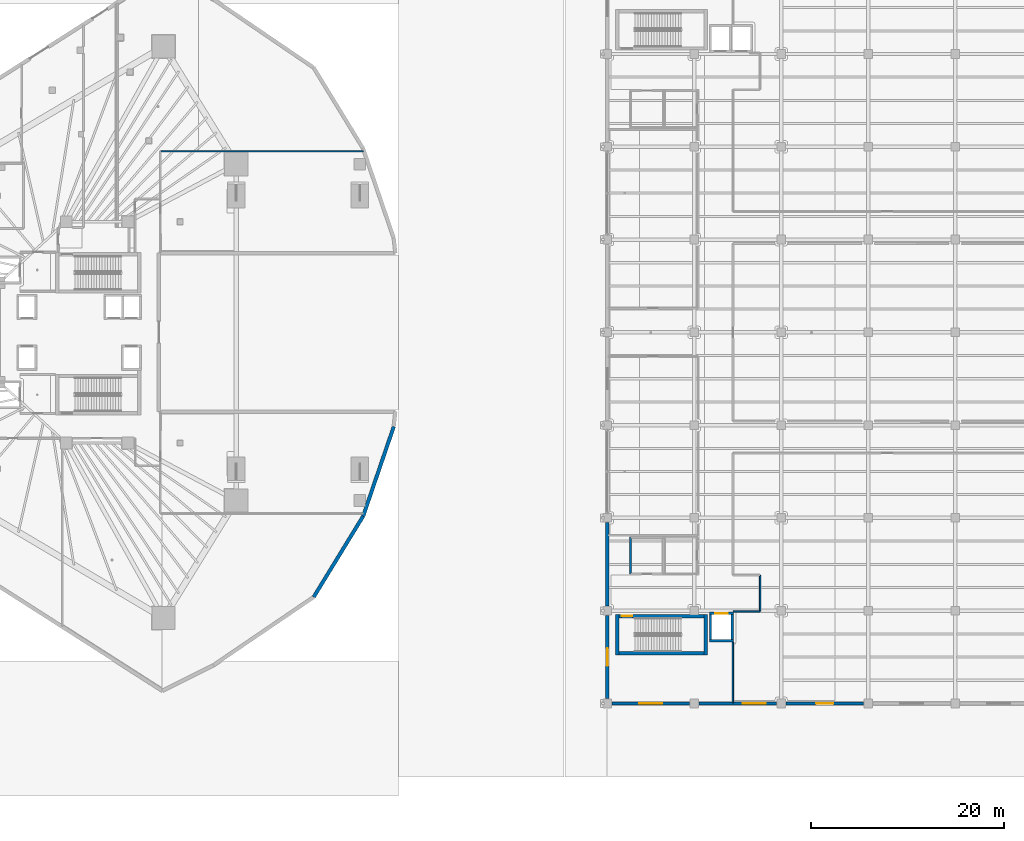
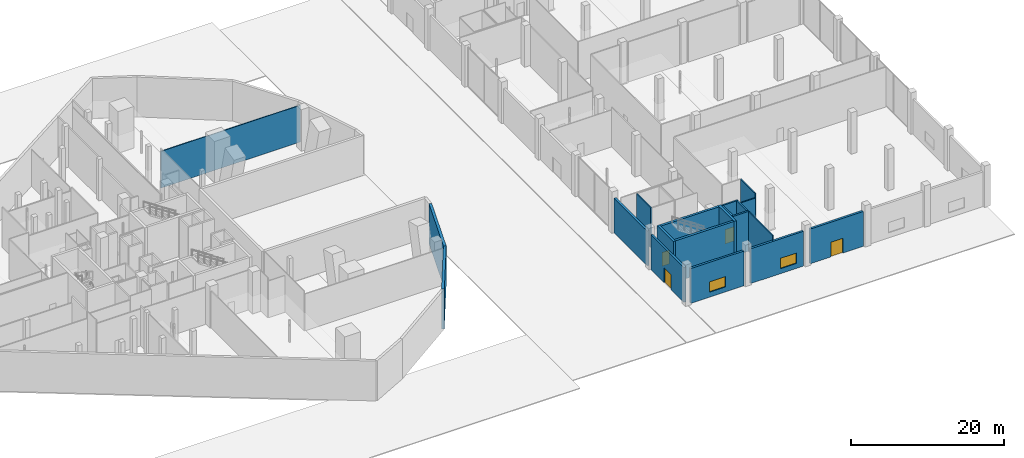
# One storey, part 29 of 45: 20 walls, 4 doors, 2 windows, 6 openings.
"""IFC4 building model written with IfcOpenShell, lengths in metres."""

from ifc_helpers import new_model, si_unit, direction, frame, frame_2d, origin, place, context, subcontext, project, spatial, rectangle, extrude, material, layer, layer_set, type_object, element, fill, save


model = new_model("IFC4")

# Units and contexts
model_context = context("Model", 3, precision=1e-05, world=origin(), true_north=direction((0.0, 1.0)))
body_context = subcontext(model_context, "Body", "Model", "MODEL_VIEW")
ifc_project = project(units=[si_unit("LENGTHUNIT", "METRE"), si_unit("AREAUNIT", "SQUARE_METRE"), si_unit("VOLUMEUNIT", "CUBIC_METRE"), si_unit("PLANEANGLEUNIT", "RADIAN"), si_unit("MASSUNIT", "GRAM", prefix="KILO")], contexts=[model_context])

# Site, building, storey
site_placement = place(None, origin())
site = spatial("IfcSite", under=ifc_project, at=site_placement, CompositionType="ELEMENT")
building_placement = place(site_placement, origin())
building = spatial("IfcBuilding", under=site, at=building_placement, Name="Qorvath Tower", CompositionType="ELEMENT")
storey_placement = place(building_placement, origin())
storey = spatial("IfcBuildingStorey", under=building, at=storey_placement, Name="L00", CompositionType="ELEMENT", Elevation=0.0)

# Walls
ifc_material_1 = material(Name="Gypsum shaftliner on steel studs", Category="steel")
ifc_layer_1 = layer(ifc_material_1, 0.179931640625)
ifc_layer_set_1 = layer_set([ifc_layer_1], Name="FW-LOBBY")
wall_type_1 = type_object("IfcWallType", Name="FW-LOBBY", PredefinedType="PARTITIONING", material=ifc_layer_set_1)
wall_1_placement = place(storey_placement, frame((34.800048828125, -21.22509765625, 0.0), z_axis=(0.0, 0.0, 1.0), x_axis=(0.0, -1.0, 0.0)))
element("IfcWall", 1, at=wall_1_placement, inside=storey, type_object=wall_type_1, Name="Interior Partition IW-LB-L00-016", PredefinedType="PARTITIONING", context=body_context, shape_type="SweptSolid", body=[
    extrude(rectangle(XDim=3.75, YDim=0.179931640625, at=frame_2d((1.875, 0.0))), origin(), (0.0, 0.0, 1.0), 6.340087890625),
])
ifc_material_2 = material(Name="Double acoustic gypsum board on steel studs", Category="steel")
ifc_layer_2 = layer(ifc_material_2, 0.159912109375)
ifc_layer_set_2 = layer_set([ifc_layer_2], Name="IW-ACOUSTIC-160")
wall_type_2 = type_object("IfcWallType", Name="IW-ACOUSTIC-160", PredefinedType="PARTITIONING", material=ifc_layer_set_2)
wall_2_placement = place(storey_placement, frame((48.2080078125, -25.13720703125, 0.0), z_axis=(0.0, 0.0, 1.0), x_axis=(0.0, -1.0, 0.0)))
element("IfcWall", 2, at=wall_2_placement, inside=storey, type_object=wall_type_2, Name="Interior Partition IW-LB-L00-031", PredefinedType="PARTITIONING", context=body_context, shape_type="SweptSolid", body=[
    extrude(rectangle(XDim=3.745849609375, YDim=0.159912109375, at=frame_2d((1.873046875, 0.0))), origin(), (0.0, 0.0, 1.0), 6.340087890625),
])
wall_3_placement = place(storey_placement, frame((45.4248046875, -28.907958984375, 0.0), z_axis=(0.0, 0.0, 1.0), x_axis=(1.0, 0.0, 0.0)))
element("IfcWall", 3, at=wall_3_placement, inside=storey, type_object=wall_type_2, Name="Interior Partition IW-LB-L00-032", PredefinedType="PARTITIONING", context=body_context, shape_type="SweptSolid", body=[
    extrude(rectangle(XDim=2.75830078125, YDim=0.159912109375, at=frame_2d((1.379150390625, 0.0))), origin(), (0.0, 0.0, 1.0), 5.6142578125),
])
wall_4_placement = place(storey_placement, frame((45.39990234375, -32.0849609375, 0.0), z_axis=(0.0, 0.0, 1.0), x_axis=(0.0, -1.0, 0.0)))
element("IfcWall", 4, at=wall_4_placement, inside=storey, type_object=wall_type_2, Name="Interior Partition IW-LB-L00-033", PredefinedType="PARTITIONING", context=body_context, shape_type="SweptSolid", body=[
    extrude(rectangle(XDim=6.235107421875, YDim=0.159912109375, at=frame_2d((3.11767578125, 0.0))), origin(), (0.0, 0.0, 1.0), 6.340087890625),
])
ifc_material_3 = material(Name="Gypsum board on metal studs with mineral wool", Category="gypsum")
ifc_layer_3 = layer(ifc_material_3, 0.125)
ifc_layer_set_3 = layer_set([ifc_layer_3], Name="IW-PART-125")
wall_type_3 = type_object("IfcWallType", Name="IW-PART-125", PredefinedType="PARTITIONING", material=ifc_layer_set_3)
wall_5_placement = place(storey_placement, frame((7.15478515625, 18.75, 0.0), z_axis=(0.0, 0.0, 1.0), x_axis=(-1.0, 0.0, 0.0)))
element("IfcWall", 5, at=wall_5_placement, inside=storey, type_object=wall_type_3, Name="Interior Partition IW-T1-L00-037", PredefinedType="PARTITIONING", context=body_context, shape_type="SweptSolid", body=[
    extrude(rectangle(XDim=20.97998046875, YDim=0.125, at=frame_2d((10.489990234375, 0.0))), origin(), (0.0, 0.0, 1.0), 5.85302734375),
])
ifc_material_4 = material(Name="Concrete C60/75", Category="concrete")
ifc_layer_4 = layer(ifc_material_4, 0.260009765625)
ifc_layer_set_4 = layer_set([ifc_layer_4], Name="SW-SHAFT")
wall_type_4 = type_object("IfcWallType", Name="SW-SHAFT", PredefinedType="SHEAR", material=ifc_layer_set_4)
wall_6_placement = place(storey_placement, frame((45.43994140625, -31.919921875, 0.0), z_axis=(0.0, 0.0, 1.0), x_axis=(-1.0, 0.0, 0.0)))
element("IfcWall", 6, at=wall_6_placement, inside=storey, type_object=wall_type_4, Name="Hoistway Wall LGL-1 L00 S", PredefinedType="SHEAR", context=body_context, shape_type="SweptSolid", body=[
    extrude(rectangle(XDim=2.47998046875, YDim=0.239990234375, at=frame_2d((1.239990234375, 0.0))), origin(), (0.0, 0.0, 1.0), 6.340087890625),
])

# Wall, opening, door
wall_7_placement = place(storey_placement, frame((42.9599609375, -29.080078125, 0.0), z_axis=(0.0, 0.0, 1.0), x_axis=(1.0, 0.0, 0.0)))
wall_7 = element("IfcWall", 7, at=wall_7_placement, inside=storey, type_object=wall_type_4, Name="Hoistway Wall LGL-1 L00 N", PredefinedType="SHEAR", context=body_context, shape_type="SweptSolid", body=[
    extrude(rectangle(XDim=2.47998046875, YDim=0.239990234375, at=frame_2d((1.239990234375, 0.0))), origin(), (0.0, 0.0, 1.0), 6.340087890625),
])
opening_1_placement = place(wall_7_placement, frame((0.590087890625, 0.0, 0.0)))
opening_1 = element("IfcOpeningElement", 8, at=opening_1_placement, cuts=wall_7, Name="Opening LD-LGL-1-L00", PredefinedType="OPENING", context=body_context, shape_type="SweptSolid", body=[
    extrude(rectangle(XDim=1.300048828125, YDim=2.300048828125, at=frame_2d((0.64990234375, 1.14990234375))), frame((0.0, 0.1298828125, 0.0), z_axis=(0.0, -1.0, 0.0), x_axis=(1.0, 0.0, 0.0)), (0.0, 0.0, 1.0), 0.260009765625),
])
ifc_material_5 = material(Name="Brushed stainless steel AISI 316", Category="steel")
door_type_1 = type_object("IfcDoorType", Name="LD-02", OperationType="NOTDEFINED", PredefinedType="DOOR", material=ifc_material_5)
door_1_placement = place(opening_1_placement, origin())
door_1 = element("IfcDoor", 9, at=door_1_placement, inside=storey, type_object=door_type_1, Name="Elevator Landing Sliding Door LD-LGL-1-L00", OperationType="DOUBLE_DOOR_SLIDING", OverallHeight=2.300048828125, OverallWidth=1.300048828125, PredefinedType="DOOR", context=body_context, shape_type="SweptSolid", body=[
    extrude(rectangle(XDim=1.300048828125, YDim=2.300048828125, at=frame_2d((0.64990234375, 1.14990234375))), frame((0.0, 0.02490234375, 0.0), z_axis=(0.0, -1.0, 0.0), x_axis=(1.0, 0.0, 0.0)), (0.0, 0.0, 1.0), 0.050048828125),
])
fill(opening_1, door_1)

# Walls
for number, where, z_axis, x_axis, name in (
    (10, (43.080078125, -31.7880859375, 0.0), (0.0, 0.0, 1.0), (0.0, 1.0, 0.0), "Hoistway Wall LGL-1 L00 W"),
    (11, (45.320068359375, -29.2119140625, 0.0), (0.0, 0.0, 1.0), (0.0, -1.0, 0.0), "Hoistway Wall LGL-1 L00 E"),
):
    element("IfcWall", number, at=place(storey_placement, frame(where, z_axis=z_axis, x_axis=x_axis)), inside=storey, type_object=wall_type_4, Name=name, PredefinedType="SHEAR", context=body_context, shape_type="SweptSolid", body=[
        extrude(rectangle(XDim=2.576171875, YDim=0.239990234375, at=frame_2d((1.2880859375, 0.0))), origin(), (0.0, 0.0, 1.0), 6.340087890625),
    ])
ifc_material_6 = material(Name="Concrete C60/75", Category="concrete")
ifc_layer_5 = layer(ifc_material_6, 0.35009765625)
ifc_layer_set_5 = layer_set([ifc_layer_5], Name="SW-STAIR")
wall_type_5 = type_object("IfcWallType", Name="SW-STAIR", PredefinedType="SHEAR", material=ifc_layer_set_5)
for number, where, z_axis, x_axis, name in (
    (12, (33.425048828125, -29.18994140625, 0.0), (0.0, 0.0, 1.0), (0.0, -1.0, 0.0), "Stair LS2 Shear Wall L00 NEAR"),
    (13, (42.574951171875, -33.39990234375, 0.0), (0.0, 0.0, 1.0), (0.0, 1.0, 0.0), "Stair LS2 Shear Wall L00 FAR"),
):
    element("IfcWall", number, at=place(storey_placement, frame(where, z_axis=z_axis, x_axis=x_axis)), inside=storey, type_object=wall_type_5, Name=name, PredefinedType="SHEAR", context=body_context, shape_type="SweptSolid", body=[
        extrude(rectangle(XDim=4.2099609375, YDim=0.35009765625, at=frame_2d((2.10498046875, 0.0))), origin(), (0.0, 0.0, 1.0), 6.594970703125),
    ])
wall_8_placement = place(storey_placement, frame((33.614990234375, -33.22509765625, 0.0), z_axis=(0.0, 0.0, 1.0), x_axis=(1.0, 0.0, 0.0)))
element("IfcWall", 14, at=wall_8_placement, inside=storey, type_object=wall_type_5, Name="Stair LS2 Shear Wall L00 LEFT", PredefinedType="SHEAR", context=body_context, shape_type="SweptSolid", body=[
    extrude(rectangle(XDim=8.77001953125, YDim=0.35009765625, at=frame_2d((4.385009765625, 0.0))), origin(), (0.0, 0.0, 1.0), 6.594970703125),
])

# Wall, opening, door
wall_9_placement = place(storey_placement, frame((33.614990234375, -29.364990234375, 0.0), z_axis=(0.0, 0.0, 1.0), x_axis=(1.0, 0.0, 0.0)))
wall_9 = element("IfcWall", 15, at=wall_9_placement, inside=storey, type_object=wall_type_5, Name="Stair LS2 Shear Wall L00 RIGHT", PredefinedType="SHEAR", context=body_context, shape_type="SweptSolid", body=[
    extrude(rectangle(XDim=8.77001953125, YDim=0.35009765625, at=frame_2d((4.385009765625, 0.0))), origin(), (0.0, 0.0, 1.0), 6.594970703125),
])
opening_2_placement = place(wall_9_placement, frame((0.280029296875, 0.0, 0.0)))
opening_2 = element("IfcOpeningElement", 16, at=opening_2_placement, cuts=wall_9, Name="Opening D-LS2-L00", PredefinedType="OPENING", context=body_context, shape_type="SweptSolid", body=[
    extrude(rectangle(XDim=1.10009765625, YDim=2.199951171875, at=frame_2d((0.550048828125, 1.10009765625))), frame((0.0, 0.18505859375, 0.0), z_axis=(0.0, -1.0, 0.0), x_axis=(1.0, 0.0, 0.0)), (0.0, 0.0, 1.0), 0.3701171875),
])
ifc_material_7 = material(Name="Painted galvanised hollow metal", Category="steel")
door_type_2 = type_object("IfcDoorType", Name="FD-90", OperationType="NOTDEFINED", PredefinedType="DOOR", material=ifc_material_7)
door_2_placement = place(opening_2_placement, origin())
door_2 = element("IfcDoor", 17, at=door_2_placement, inside=storey, type_object=door_type_2, Name="Stair LS2 Fire Door L00", OperationType="SINGLE_SWING_LEFT", OverallHeight=2.199951171875, OverallWidth=1.10009765625, PredefinedType="DOOR", context=body_context, shape_type="SweptSolid", body=[
    extrude(rectangle(XDim=1.10009765625, YDim=2.199951171875, at=frame_2d((0.550048828125, 1.10009765625))), frame((0.0, 0.02490234375, 0.0), z_axis=(0.0, -1.0, 0.0), x_axis=(1.0, 0.0, 0.0)), (0.0, 0.0, 1.0), 0.050048828125),
])
fill(opening_2, door_2)

ifc_material_8 = material(Name="Precast concrete C45/55", Category="concrete")
ifc_layer_6 = layer(ifc_material_8, 0.320068359375)
ifc_layer_set_6 = layer_set([ifc_layer_6], Name="WL-EW-LIB-320")
wall_type_6 = type_object("IfcWallType", Name="WL-EW-LIB-320", PredefinedType="SOLIDWALL", material=ifc_layer_set_6)
wall_10_placement = place(storey_placement, frame((32.39990234375, -37.905029296875, 0.0), z_axis=(0.0, 0.0, 1.0), x_axis=(0.0, 1.0, 0.0)))
wall_10 = element("IfcWall", 18, at=wall_10_placement, inside=storey, type_object=wall_type_6, Name="Library West Precast Facade Wall L00-1", PredefinedType="SOLIDWALL", context=body_context, shape_type="SweptSolid", body=[
    extrude(rectangle(XDim=8.610107421875, YDim=0.320068359375, at=frame_2d((4.30517578125, 0.0))), origin(), (0.0, 0.0, 1.0), 5.537109375),
])
opening_3_placement = place(wall_10_placement, frame((3.405029296875, 0.0, 0.0)))
opening_3 = element("IfcOpeningElement", 19, at=opening_3_placement, cuts=wall_10, Name="Opening ED-LS2-01", PredefinedType="OPENING", context=body_context, shape_type="SweptSolid", body=[
    extrude(rectangle(XDim=1.800048828125, YDim=2.35009765625, at=frame_2d((0.89990234375, 1.175048828125))), frame((0.0, 0.169921875, 0.0), z_axis=(0.0, -1.0, 0.0), x_axis=(1.0, 0.0, 0.0)), (0.0, 0.0, 1.0), 0.340087890625),
])
ifc_material_9 = material(Name="Anodised aluminium and tempered glass", Category="aluminium")
door_type_3 = type_object("IfcDoorType", Name="ED-01", OperationType="NOTDEFINED", PredefinedType="DOOR", material=ifc_material_9)
door_3_placement = place(opening_3_placement, origin())
door_3 = element("IfcDoor", 20, at=door_3_placement, inside=storey, type_object=door_type_3, Name="Library Stair LS2 Exterior Discharge Door", OperationType="SINGLE_SWING_RIGHT", OverallHeight=2.35009765625, OverallWidth=1.800048828125, PredefinedType="DOOR", context=body_context, shape_type="SweptSolid", body=[
    extrude(rectangle(XDim=1.800048828125, YDim=2.35009765625, at=frame_2d((0.89990234375, 1.175048828125))), frame((0.0, 0.02490234375, 0.0), z_axis=(0.0, -1.0, 0.0), x_axis=(1.0, 0.0, 0.0)), (0.0, 0.0, 1.0), 0.050048828125),
])
fill(opening_3, door_3)

# Wall
wall_11_placement = place(storey_placement, frame((32.39990234375, -28.304931640625, 0.0), z_axis=(0.0, 0.0, 1.0), x_axis=(0.0, 1.0, 0.0)))
element("IfcWall", 21, at=wall_11_placement, inside=storey, type_object=wall_type_6, Name="Library West Precast Facade Wall L00-2", PredefinedType="SOLIDWALL", context=body_context, shape_type="SweptSolid", body=[
    extrude(rectangle(XDim=8.60986328125, YDim=0.320068359375, at=frame_2d((4.304931640625, 0.0))), origin(), (0.0, 0.0, 1.0), 5.537109375),
])

# Wall, opening, window
wall_12_placement = place(storey_placement, frame((40.905029296875, -38.39990234375, 0.0), z_axis=(0.0, 0.0, 1.0), x_axis=(-1.0, 0.0, 0.0)))
wall_12 = element("IfcWall", 22, at=wall_12_placement, inside=storey, type_object=wall_type_6, Name="Library S Precast Wall L00-1", PredefinedType="SOLIDWALL", context=body_context, shape_type="SweptSolid", body=[
    extrude(rectangle(XDim=8.010009765625, YDim=0.320068359375, at=frame_2d((4.0048828125, 0.0))), origin(), (0.0, 0.0, 1.0), 5.537109375),
])
opening_4_placement = place(wall_12_placement, frame((2.804931640625, 0.0, 0.800048828125)))
opening_4 = element("IfcOpeningElement", 23, at=opening_4_placement, cuts=wall_12, Name="Opening WN-L-079", PredefinedType="OPENING", context=body_context, shape_type="SweptSolid", body=[
    extrude(rectangle(XDim=2.39990234375, YDim=1.64990234375, at=frame_2d((1.199951171875, 0.824951171875))), frame((0.0, 0.169921875, 0.0), z_axis=(0.0, -1.0, 0.0), x_axis=(1.0, 0.0, 0.0)), (0.0, 0.0, 1.0), 0.340087890625),
])
ifc_material_10 = material(Name="Thermally broken aluminium and triple low-E glass", Category="aluminium")
window_type = type_object("IfcWindowType", Name="WN-2", PartitioningType="SINGLE_PANEL", PredefinedType="WINDOW", material=ifc_material_10)
window_1_placement = place(opening_4_placement, origin())
window_1 = element("IfcWindow", 24, at=window_1_placement, inside=storey, type_object=window_type, Name="Library Reading Punched Window 079", OverallHeight=1.64990234375, OverallWidth=2.39990234375, PartitioningType="SINGLE_PANEL", PredefinedType="WINDOW", context=body_context, shape_type="SweptSolid", body=[
    extrude(rectangle(XDim=2.39990234375, YDim=1.64990234375, at=frame_2d((1.199951171875, 0.824951171875))), frame((0.0, 0.030029296875, 0.0), z_axis=(0.0, -1.0, 0.0), x_axis=(1.0, 0.0, 0.0)), (0.0, 0.0, 1.0), 0.06005859375),
])
fill(opening_4, window_1)

wall_13_placement = place(storey_placement, frame((49.905029296875, -38.39990234375, 0.0), z_axis=(0.0, 0.0, 1.0), x_axis=(-1.0, 0.0, 0.0)))
wall_13 = element("IfcWall", 25, at=wall_13_placement, inside=storey, type_object=wall_type_6, Name="Library S Precast Wall L00-2", PredefinedType="SOLIDWALL", context=body_context, shape_type="SweptSolid", body=[
    extrude(rectangle(XDim=8.010009765625, YDim=0.320068359375, at=frame_2d((4.0048828125, 0.0))), origin(), (0.0, 0.0, 1.0), 5.537109375),
])
opening_5_placement = place(wall_13_placement, frame((1.097412109375, 0.0, 0.800048828125)))
opening_5 = element("IfcOpeningElement", 26, at=opening_5_placement, cuts=wall_13, Name="Opening WN-L-080", PredefinedType="OPENING", context=body_context, shape_type="SweptSolid", body=[
    extrude(rectangle(XDim=2.39990234375, YDim=1.64990234375, at=frame_2d((1.199951171875, 0.824951171875))), frame((0.0, 0.169921875, 0.0), z_axis=(0.0, -1.0, 0.0), x_axis=(1.0, 0.0, 0.0)), (0.0, 0.0, 1.0), 0.340087890625),
])
window_2_placement = place(opening_5_placement, origin())
window_2 = element("IfcWindow", 27, at=window_2_placement, inside=storey, type_object=window_type, Name="Library Reading Punched Window 080", OverallHeight=1.64990234375, OverallWidth=2.39990234375, PartitioningType="SINGLE_PANEL", PredefinedType="WINDOW", context=body_context, shape_type="SweptSolid", body=[
    extrude(rectangle(XDim=2.39990234375, YDim=1.64990234375, at=frame_2d((1.199951171875, 0.824951171875))), frame((0.0, 0.030029296875, 0.0), z_axis=(0.0, -1.0, 0.0), x_axis=(1.0, 0.0, 0.0)), (0.0, 0.0, 1.0), 0.06005859375),
])
fill(opening_5, window_2)

# Wall, opening, door
wall_14_placement = place(storey_placement, frame((58.905029296875, -38.39990234375, 0.0), z_axis=(0.0, 0.0, 1.0), x_axis=(-1.0, 0.0, 0.0)))
wall_14 = element("IfcWall", 28, at=wall_14_placement, inside=storey, type_object=wall_type_6, Name="Library S Precast Wall L00-3", PredefinedType="SOLIDWALL", context=body_context, shape_type="SweptSolid", body=[
    extrude(rectangle(XDim=8.010009765625, YDim=0.320068359375, at=frame_2d((4.0048828125, 0.0))), origin(), (0.0, 0.0, 1.0), 5.537109375),
])
opening_6_placement = place(wall_14_placement, frame((3.10498046875, 0.0, 0.0)))
opening_6 = element("IfcOpeningElement", 29, at=opening_6_placement, cuts=wall_14, Name="Opening ED-LIB-02", PredefinedType="OPENING", context=body_context, shape_type="SweptSolid", body=[
    extrude(rectangle(XDim=1.800048828125, YDim=2.35009765625, at=frame_2d((0.89990234375, 1.175048828125))), frame((0.0, 0.169921875, 0.0), z_axis=(0.0, -1.0, 0.0), x_axis=(1.0, 0.0, 0.0)), (0.0, 0.0, 1.0), 0.340087890625),
])
ifc_material_11 = material(Name="Anodised aluminium and low-E glass", Category="aluminium")
door_type_4 = type_object("IfcDoorType", Name="ED-03", OperationType="NOTDEFINED", PredefinedType="DOOR", material=ifc_material_11)
door_4_placement = place(opening_6_placement, origin())
door_4 = element("IfcDoor", 30, at=door_4_placement, inside=storey, type_object=door_type_4, Name="Library Auditorium South Street Outward Exit Door", OperationType="SINGLE_SWING_LEFT", OverallHeight=2.35009765625, OverallWidth=1.800048828125, PredefinedType="DOOR", context=body_context, shape_type="SweptSolid", body=[
    extrude(rectangle(XDim=1.800048828125, YDim=2.35009765625, at=frame_2d((0.89990234375, 1.175048828125))), frame((0.0, 0.02490234375, 0.0), z_axis=(0.0, -1.0, 0.0), x_axis=(1.0, 0.0, 0.0)), (0.0, 0.0, 1.0), 0.050048828125),
])
fill(opening_6, door_4)

# Walls
ifc_material_12 = material(Name="Precast concrete C50/60", Category="concrete")
ifc_layer_7 = layer(ifc_material_12, 0.3798828125)
ifc_layer_set_7 = layer_set([ifc_layer_7], Name="WL-EW-POD-380")
wall_type_7 = type_object("IfcWallType", Name="WL-EW-POD-380", PredefinedType="SOLIDWALL", material=ifc_layer_set_7)
for number, where, z_axis, x_axis, name in (
    (31, (7.139404296875, -19.029052734375, 0.0), (0.0, 0.0, 1.0), (-0.521922160909, -0.852993117178, 0.0), "Tower Podium Precast Facade Wall L00-14.1"),
    (32, (10.3125, -9.748779296875, 0.0), (0.0, 0.0, 1.0), (-0.323529337119, -0.946218139767, 0.0), "Tower Podium Precast Facade Wall L00-15.1"),
):
    element("IfcWall", number, at=place(storey_placement, frame(where, z_axis=z_axis, x_axis=x_axis)), inside=storey, type_object=wall_type_7, Name=name, PredefinedType="SOLIDWALL", context=body_context, shape_type="SweptSolid", body=[
        extrude(rectangle(XDim=9.807861328125, YDim=0.3798828125, at=frame_2d((4.90380859375, 0.0))), origin(), (0.0, 0.0, 1.0), 6.340087890625),
    ])

save(model, "model.ifc")
